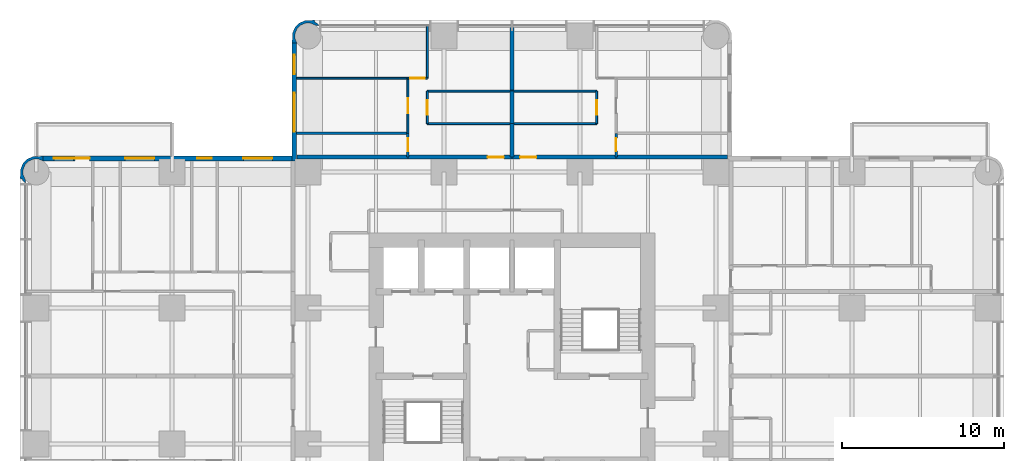
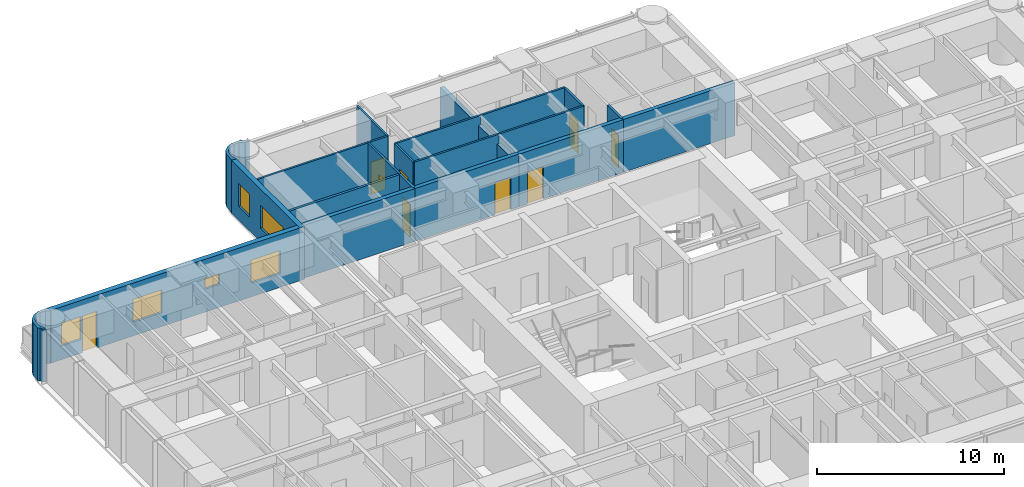
# One storey, part 11 of 14: 24 walls, 9 doors, 6 windows, 15 openings.
"""IFC4 building model written with IfcOpenShell, lengths in metres."""

from ifc_helpers import new_model, si_unit, direction, frame, frame_2d, origin, place, context, subcontext, project, spatial, polyline, rectangle, outline, extrude, material, layer, layer_set, type_object, element, fill, save


model = new_model("IFC4")

# Units and contexts
model_context = context("Model", 3, precision=1e-05, world=origin(), true_north=direction((0.0, 1.0)))
body_context = subcontext(model_context, "Body", "Model", "MODEL_VIEW")
ifc_project = project(units=[si_unit("LENGTHUNIT", "METRE"), si_unit("AREAUNIT", "SQUARE_METRE"), si_unit("VOLUMEUNIT", "CUBIC_METRE"), si_unit("PLANEANGLEUNIT", "RADIAN"), si_unit("MASSUNIT", "GRAM", prefix="KILO")], contexts=[model_context])

# Site, building, storey
site_placement = place(None, origin())
site = spatial("IfcSite", under=ifc_project, at=site_placement, CompositionType="ELEMENT")
building_placement = place(site_placement, origin())
building = spatial("IfcBuilding", under=site, at=building_placement, Name="Torre Alcanfor", CompositionType="ELEMENT")
storey_placement = place(building_placement, frame((0.0, 0.0, 155.699951171875)))
storey = spatial("IfcBuildingStorey", under=building, at=storey_placement, Name="L40", CompositionType="ELEMENT", Elevation=155.699951171875)

# Wall, opening, door
ifc_material_1 = material(Name="Concrete block masonry, hollow blocks NMX-C-404 9 MPa", Category="masonry")
ifc_layer_1 = layer(ifc_material_1, 0.25)
ifc_layer_set_1 = layer_set([ifc_layer_1], Name="Apartment entrance wall 250 EI 60")
wall_type_1 = type_object("IfcWallType", Name="Apartment entrance wall 250 EI 60", PredefinedType="PARTITIONING", material=ifc_layer_set_1)
wall_1_placement = place(storey_placement, frame((22.970947265625, 42.925048828125, 0.0), z_axis=(0.0, 0.0, 1.0), x_axis=(1.0, 0.0, 0.0)))
wall_1 = element("IfcWall", 1, at=wall_1_placement, inside=storey, type_object=wall_type_1, Name="Partition L40-CORR / L40-N1-LIVING", PredefinedType="PARTITIONING", context=body_context, shape_type="SweptSolid", body=[
    extrude(rectangle(XDim=6.428955078125, YDim=0.25, at=frame_2d((3.21435546875, 0.0))), origin(), (0.0, 0.0, 1.0), 3.449951171875),
])
opening_1_placement = place(wall_1_placement, frame((4.928955078125, 0.0, 0.0)))
opening_1 = element("IfcOpeningElement", 2, at=opening_1_placement, cuts=wall_1, Name="Opening D-A1", PredefinedType="OPENING", context=body_context, shape_type="SweptSolid", body=[
    extrude(rectangle(XDim=1.0, YDim=2.10009765625, at=frame_2d((0.5, 1.050048828125))), frame((0.0, 0.135009765625, 0.0), z_axis=(0.0, -1.0, 0.0), x_axis=(1.0, 0.0, 0.0)), (0.0, 0.0, 1.0), 0.27001953125),
])
ifc_material_2 = material(Name="Galvanised steel sheet ASTM A653", Category="steel")
door_type_1 = type_object("IfcDoorType", Name="Apartment entrance door FD60 1000x2100", OperationType="SINGLE_SWING_LEFT", PredefinedType="DOOR", material=ifc_material_2)
door_1_placement = place(opening_1_placement, origin())
door_1 = element("IfcDoor", 3, at=door_1_placement, inside=storey, type_object=door_type_1, Name="Apartment entrance L40-N1", OperationType="SINGLE_SWING_RIGHT", OverallHeight=2.10009765625, OverallWidth=1.0, PredefinedType="DOOR", context=body_context, shape_type="SweptSolid", body=[
    extrude(rectangle(XDim=1.0, YDim=2.10009765625, at=frame_2d((0.5, 1.050048828125))), frame((0.0, 0.02490234375, 0.0), z_axis=(0.0, -1.0, 0.0), x_axis=(1.0, 0.0, 0.0)), (0.0, 0.0, 1.0), 0.050048828125),
])
fill(opening_1, door_1)

# Wall
wall_2_placement = place(storey_placement, frame((16.10009765625, 42.925048828125, 0.0), z_axis=(0.0, 0.0, 1.0), x_axis=(1.0, 0.0, 0.0)))
element("IfcWall", 4, at=wall_2_placement, inside=storey, type_object=wall_type_1, Name="Partition L40-CORR / L40-N1-BATH", PredefinedType="PARTITIONING", context=body_context, shape_type="SweptSolid", body=[
    extrude(rectangle(XDim=6.870849609375, YDim=0.25, at=frame_2d((3.435546875, 0.0))), origin(), (0.0, 0.0, 1.0), 3.449951171875),
])

# Wall, opening, door
wall_3_placement = place(storey_placement, frame((29.39990234375, 42.925048828125, 0.0), z_axis=(0.0, 0.0, 1.0), x_axis=(1.0, 0.0, 0.0)))
wall_3 = element("IfcWall", 5, at=wall_3_placement, inside=storey, type_object=wall_type_1, Name="Partition L40-CORR / L40-N2-LIVING", PredefinedType="PARTITIONING", context=body_context, shape_type="SweptSolid", body=[
    extrude(rectangle(XDim=6.42919921875, YDim=0.25, at=frame_2d((3.214599609375, 0.0))), origin(), (0.0, 0.0, 1.0), 3.449951171875),
])
opening_2_placement = place(wall_3_placement, frame((0.5, 0.0, 0.0)))
opening_2 = element("IfcOpeningElement", 6, at=opening_2_placement, cuts=wall_3, Name="Opening D-A1", PredefinedType="OPENING", context=body_context, shape_type="SweptSolid", body=[
    extrude(rectangle(XDim=1.0, YDim=2.10009765625, at=frame_2d((0.5, 1.050048828125))), frame((0.0, 0.135009765625, 0.0), z_axis=(0.0, -1.0, 0.0), x_axis=(1.0, 0.0, 0.0)), (0.0, 0.0, 1.0), 0.27001953125),
])
door_2_placement = place(opening_2_placement, origin())
door_2 = element("IfcDoor", 7, at=door_2_placement, inside=storey, type_object=door_type_1, Name="Apartment entrance L40-N2", OperationType="SINGLE_SWING_LEFT", OverallHeight=2.10009765625, OverallWidth=1.0, PredefinedType="DOOR", context=body_context, shape_type="SweptSolid", body=[
    extrude(rectangle(XDim=1.0, YDim=2.10009765625, at=frame_2d((0.5, 1.050048828125))), frame((0.0, 0.02490234375, 0.0), z_axis=(0.0, -1.0, 0.0), x_axis=(1.0, 0.0, 0.0)), (0.0, 0.0, 1.0), 0.050048828125),
])
fill(opening_2, door_2)

# Walls
wall_4_placement = place(storey_placement, frame((35.8291015625, 42.925048828125, 0.0), z_axis=(0.0, 0.0, 1.0), x_axis=(1.0, 0.0, 0.0)))
element("IfcWall", 8, at=wall_4_placement, inside=storey, type_object=wall_type_1, Name="Partition L40-CORR / L40-N2-BATH", PredefinedType="PARTITIONING", context=body_context, shape_type="SweptSolid", body=[
    extrude(rectangle(XDim=6.870849609375, YDim=0.25, at=frame_2d((3.435546875, 0.0))), origin(), (0.0, 0.0, 1.0), 3.449951171875),
])
ifc_material_3 = material(Name="Gypsum board on steel studs", Category="steel")
ifc_layer_2 = layer(ifc_material_3, 0.1201171875)
ifc_layer_set_2 = layer_set([ifc_layer_2], Name="Apartment partition 120")
wall_type_2 = type_object("IfcWallType", Name="Apartment partition 120", PredefinedType="PARTITIONING", material=ifc_layer_set_2)
wall_5_placement = place(storey_placement, frame((29.39990234375, 47.0, 0.0), z_axis=(0.0, 0.0, 1.0), x_axis=(-1.0, 0.0, 0.0)))
element("IfcWall", 9, at=wall_5_placement, inside=storey, type_object=wall_type_2, Name="Partition L40-N1-KITCHEN / L40-N1-LIVING", PredefinedType="PARTITIONING", context=body_context, shape_type="SweptSolid", body=[
    extrude(rectangle(XDim=5.22900390625, YDim=0.1201171875, at=frame_2d((2.614501953125, 0.0))), origin(), (0.0, 0.0, 1.0), 3.449951171875),
])

# Wall, opening, door
wall_6_placement = place(storey_placement, frame((24.1708984375, 47.0, 0.0), z_axis=(0.0, 0.0, 1.0), x_axis=(0.0, -1.0, 0.0)))
wall_6 = element("IfcWall", 10, at=wall_6_placement, inside=storey, type_object=wall_type_2, Name="Partition L40-N1-KITCHEN / L40-N1-LIVING", PredefinedType="PARTITIONING", context=body_context, shape_type="SweptSolid", body=[
    extrude(rectangle(XDim=2.0, YDim=0.1201171875, at=frame_2d((1.0, 0.0))), origin(), (0.0, 0.0, 1.0), 3.449951171875),
])
opening_3_placement = place(wall_6_placement, frame((0.550048828125, 0.0, 0.0)))
opening_3 = element("IfcOpeningElement", 11, at=opening_3_placement, cuts=wall_6, Name="Opening D-R1", PredefinedType="OPENING", context=body_context, shape_type="SweptSolid", body=[
    extrude(rectangle(XDim=0.89990234375, YDim=2.10009765625, at=frame_2d((0.449951171875, 1.050048828125))), frame((0.0, 0.070068359375, 0.0), z_axis=(0.0, -1.0, 0.0), x_axis=(1.0, 0.0, 0.0)), (0.0, 0.0, 1.0), 0.14013671875),
])
ifc_material_4 = material(Name="Timber", Category="wood")
door_type_2 = type_object("IfcDoorType", Name="Internal door 900x2100", OperationType="SINGLE_SWING_LEFT", PredefinedType="DOOR", material=ifc_material_4)
door_3_placement = place(opening_3_placement, origin())
door_3 = element("IfcDoor", 12, at=door_3_placement, inside=storey, type_object=door_type_2, Name="Door L40-N1 kitchen", OperationType="SINGLE_SWING_LEFT", OverallHeight=2.10009765625, OverallWidth=0.89990234375, PredefinedType="DOOR", context=body_context, shape_type="SweptSolid", body=[
    extrude(rectangle(XDim=0.89990234375, YDim=2.10009765625, at=frame_2d((0.449951171875, 1.050048828125))), frame((0.0, 0.02490234375, 0.0), z_axis=(0.0, -1.0, 0.0), x_axis=(1.0, 0.0, 0.0)), (0.0, 0.0, 1.0), 0.050048828125),
])
fill(opening_3, door_3)

# Wall
wall_7_placement = place(storey_placement, frame((24.1708984375, 45.0, 0.0), z_axis=(0.0, 0.0, 1.0), x_axis=(1.0, 0.0, 0.0)))
element("IfcWall", 13, at=wall_7_placement, inside=storey, type_object=wall_type_2, Name="Partition L40-N1-KITCHEN / L40-N1-LIVING", PredefinedType="PARTITIONING", context=body_context, shape_type="SweptSolid", body=[
    extrude(rectangle(XDim=5.22900390625, YDim=0.1201171875, at=frame_2d((2.614501953125, 0.0))), origin(), (0.0, 0.0, 1.0), 3.449951171875),
])

# Wall, opening, door
wall_8_placement = place(storey_placement, frame((22.970947265625, 44.39990234375, 0.0), z_axis=(0.0, 0.0, 1.0), x_axis=(0.0, 1.0, 0.0)))
wall_8 = element("IfcWall", 14, at=wall_8_placement, inside=storey, type_object=wall_type_2, Name="Partition L40-N1-LIVING / L40-N1-STUDY", PredefinedType="PARTITIONING", context=body_context, shape_type="SweptSolid", body=[
    extrude(rectangle(XDim=3.400146484375, YDim=0.1201171875, at=frame_2d((1.7001953125, 0.0))), origin(), (0.0, 0.0, 1.0), 3.449951171875),
])
opening_4_placement = place(wall_8_placement, frame((1.25, 0.0, 0.0)))
opening_4 = element("IfcOpeningElement", 15, at=opening_4_placement, cuts=wall_8, Name="Opening D-R1", PredefinedType="OPENING", context=body_context, shape_type="SweptSolid", body=[
    extrude(rectangle(XDim=0.89990234375, YDim=2.10009765625, at=frame_2d((0.449951171875, 1.050048828125))), frame((0.0, 0.070068359375, 0.0), z_axis=(0.0, -1.0, 0.0), x_axis=(1.0, 0.0, 0.0)), (0.0, 0.0, 1.0), 0.14013671875),
])
door_4_placement = place(opening_4_placement, origin())
door_4 = element("IfcDoor", 16, at=door_4_placement, inside=storey, type_object=door_type_2, Name="Door L40-N1 study", OperationType="SINGLE_SWING_LEFT", OverallHeight=2.10009765625, OverallWidth=0.89990234375, PredefinedType="DOOR", context=body_context, shape_type="SweptSolid", body=[
    extrude(rectangle(XDim=0.89990234375, YDim=2.10009765625, at=frame_2d((0.449951171875, 1.050048828125))), frame((0.0, 0.02490234375, 0.0), z_axis=(0.0, -1.0, 0.0), x_axis=(1.0, 0.0, 0.0)), (0.0, 0.0, 1.0), 0.050048828125),
])
fill(opening_4, door_4)

wall_9_placement = place(storey_placement, frame((22.970947265625, 47.800048828125, 0.0), z_axis=(0.0, 0.0, 1.0), x_axis=(1.0, 0.0, 0.0)))
wall_9 = element("IfcWall", 17, at=wall_9_placement, inside=storey, type_object=wall_type_2, Name="Partition L40-N1-LIVING / L40-N1-MASTER", PredefinedType="PARTITIONING", context=body_context, shape_type="SweptSolid", body=[
    extrude(rectangle(XDim=1.199951171875, YDim=0.1201171875, at=frame_2d((0.60009765625, 0.0))), origin(), (0.0, 0.0, 1.0), 3.449951171875),
])
opening_5_placement = place(wall_9_placement, frame((0.14892578125, 0.0, 0.0)))
opening_5 = element("IfcOpeningElement", 18, at=opening_5_placement, cuts=wall_9, Name="Opening D-R1", PredefinedType="OPENING", context=body_context, shape_type="SweptSolid", body=[
    extrude(rectangle(XDim=0.89990234375, YDim=2.10009765625, at=frame_2d((0.449951171875, 1.050048828125))), frame((0.0, 0.070068359375, 0.0), z_axis=(0.0, -1.0, 0.0), x_axis=(1.0, 0.0, 0.0)), (0.0, 0.0, 1.0), 0.14013671875),
])
door_5_placement = place(opening_5_placement, origin())
door_5 = element("IfcDoor", 19, at=door_5_placement, inside=storey, type_object=door_type_2, Name="Door L40-N1 master", OperationType="SINGLE_SWING_RIGHT", OverallHeight=2.10009765625, OverallWidth=0.89990234375, PredefinedType="DOOR", context=body_context, shape_type="SweptSolid", body=[
    extrude(rectangle(XDim=0.89990234375, YDim=2.10009765625, at=frame_2d((0.449951171875, 1.050048828125))), frame((0.0, 0.02490234375, 0.0), z_axis=(0.0, -1.0, 0.0), x_axis=(1.0, 0.0, 0.0)), (0.0, 0.0, 1.0), 0.050048828125),
])
fill(opening_5, door_5)

# Walls
wall_10_placement = place(storey_placement, frame((24.1708984375, 47.800048828125, 0.0), z_axis=(0.0, 0.0, 1.0), x_axis=(0.0, 1.0, 0.0)))
element("IfcWall", 20, at=wall_10_placement, inside=storey, type_object=wall_type_2, Name="Partition L40-N1-LIVING / L40-N1-MASTER", PredefinedType="PARTITIONING", context=body_context, shape_type="SweptSolid", body=[
    extrude(rectangle(XDim=3.25, YDim=0.1201171875, at=frame_2d((1.625, 0.0))), origin(), (0.0, 0.0, 1.0), 3.449951171875),
])
wall_11_placement = place(storey_placement, frame((22.970947265625, 47.800048828125, 0.0), z_axis=(0.0, 0.0, 1.0), x_axis=(-1.0, 0.0, 0.0)))
element("IfcWall", 21, at=wall_11_placement, inside=storey, type_object=wall_type_2, Name="Partition L40-N1-STUDY / L40-N1-MASTER", PredefinedType="PARTITIONING", context=body_context, shape_type="SweptSolid", body=[
    extrude(rectangle(XDim=6.870849609375, YDim=0.1201171875, at=frame_2d((3.435546875, 0.0))), origin(), (0.0, 0.0, 1.0), 3.449951171875),
])
wall_12_placement = place(storey_placement, frame((29.39990234375, 47.0, 0.0), z_axis=(0.0, 0.0, 1.0), x_axis=(1.0, 0.0, 0.0)))
element("IfcWall", 22, at=wall_12_placement, inside=storey, type_object=wall_type_2, Name="Partition L40-N2-KITCHEN / L40-N2-LIVING", PredefinedType="PARTITIONING", context=body_context, shape_type="SweptSolid", body=[
    extrude(rectangle(XDim=5.22900390625, YDim=0.1201171875, at=frame_2d((2.614501953125, 0.0))), origin(), (0.0, 0.0, 1.0), 3.449951171875),
])

# Wall, opening, door
wall_13_placement = place(storey_placement, frame((34.62890625, 47.0, 0.0), z_axis=(0.0, 0.0, 1.0), x_axis=(0.0, -1.0, 0.0)))
wall_13 = element("IfcWall", 23, at=wall_13_placement, inside=storey, type_object=wall_type_2, Name="Partition L40-N2-KITCHEN / L40-N2-LIVING", PredefinedType="PARTITIONING", context=body_context, shape_type="SweptSolid", body=[
    extrude(rectangle(XDim=2.0, YDim=0.1201171875, at=frame_2d((1.0, 0.0))), origin(), (0.0, 0.0, 1.0), 3.449951171875),
])
opening_6_placement = place(wall_13_placement, frame((0.550048828125, 0.0, 0.0)))
opening_6 = element("IfcOpeningElement", 24, at=opening_6_placement, cuts=wall_13, Name="Opening D-R1", PredefinedType="OPENING", context=body_context, shape_type="SweptSolid", body=[
    extrude(rectangle(XDim=0.89990234375, YDim=2.10009765625, at=frame_2d((0.449951171875, 1.050048828125))), frame((0.0, 0.070068359375, 0.0), z_axis=(0.0, -1.0, 0.0), x_axis=(1.0, 0.0, 0.0)), (0.0, 0.0, 1.0), 0.14013671875),
])
door_6_placement = place(opening_6_placement, frame((0.89990234375, 0.0, 0.0), z_axis=(0.0, 0.0, 1.0), x_axis=(-1.0, 0.0, 0.0)))
door_6 = element("IfcDoor", 25, at=door_6_placement, inside=storey, type_object=door_type_2, Name="Door L40-N2 kitchen", OperationType="SINGLE_SWING_RIGHT", OverallHeight=2.10009765625, OverallWidth=0.89990234375, PredefinedType="DOOR", context=body_context, shape_type="SweptSolid", body=[
    extrude(rectangle(XDim=0.89990234375, YDim=2.10009765625, at=frame_2d((0.449951171875, 1.050048828125))), frame((0.0, 0.025146484375, 0.0), z_axis=(0.0, -1.0, 0.0), x_axis=(1.0, 0.0, 0.0)), (0.0, 0.0, 1.0), 0.050048828125),
])
fill(opening_6, door_6)

# Wall
wall_14_placement = place(storey_placement, frame((34.62890625, 45.0, 0.0), z_axis=(0.0, 0.0, 1.0), x_axis=(-1.0, 0.0, 0.0)))
element("IfcWall", 26, at=wall_14_placement, inside=storey, type_object=wall_type_2, Name="Partition L40-N2-KITCHEN / L40-N2-LIVING", PredefinedType="PARTITIONING", context=body_context, shape_type="SweptSolid", body=[
    extrude(rectangle(XDim=5.22900390625, YDim=0.1201171875, at=frame_2d((2.614501953125, 0.0))), origin(), (0.0, 0.0, 1.0), 3.449951171875),
])

# Wall, openings, door, windows
ifc_material_5 = material(Name="Limestone cladding", Category="masonry")
ifc_layer_3 = layer(ifc_material_5, 0.0400390625, Name="Facing")
ifc_material_6 = material(Name="Ventilated air cavity")
ifc_layer_4 = layer(ifc_material_6, 0.02001953125, ventilated=True, Name="Ventilated joint")
ifc_material_7 = material(Name="Mineral wool insulation", Category="insulation")
ifc_layer_5 = layer(ifc_material_7, 0.10009765625, Name="Insulation")
ifc_material_8 = material(Name="Concrete f'c 35 MPa", Category="concrete")
ifc_layer_6 = layer(ifc_material_8, 0.139892578125, Name="Backing")
ifc_layer_set_3 = layer_set([ifc_layer_3, ifc_layer_4, ifc_layer_5, ifc_layer_6], Name="External wall stone-clad 300")
wall_type_3 = type_object("IfcWallType", Name="External wall stone-clad 300", PredefinedType="SOLIDWALL", material=ifc_layer_set_3)
wall_15_placement = place(storey_placement, frame((15.800048828125, 42.85009765625, 0.0), z_axis=(0.0, 0.0, 1.0), x_axis=(-1.0, 0.0, 0.0)))
wall_15 = element("IfcWall", 27, at=wall_15_placement, inside=storey, type_object=wall_type_3, Name="External wall L40 1", PredefinedType="SOLIDWALL", context=body_context, shape_type="SweptSolid", body=[
    extrude(rectangle(XDim=15.400146484375, YDim=0.300048828125, at=frame_2d((7.7001953125, 0.0))), origin(), (0.0, 0.0, 1.0), 3.449951171875),
])
opening_7_placement = place(wall_15_placement, frame((1.199951171875, 0.0, 0.89990234375)))
opening_7 = element("IfcOpeningElement", 28, at=opening_7_placement, cuts=wall_15, Name="Opening W2", PredefinedType="OPENING", context=body_context, shape_type="SweptSolid", body=[
    extrude(rectangle(XDim=1.800048828125, YDim=1.5, at=frame_2d((0.89990234375, 0.75))), frame((0.0, 0.159912109375, 0.0), z_axis=(0.0, -1.0, 0.0), x_axis=(1.0, 0.0, 0.0)), (0.0, 0.0, 1.0), 0.320068359375),
])
opening_8_placement = place(wall_15_placement, frame((4.949951171875, 0.0, 1.5)))
opening_8 = element("IfcOpeningElement", 29, at=opening_8_placement, cuts=wall_15, Name="Opening W3", PredefinedType="OPENING", context=body_context, shape_type="SweptSolid", body=[
    extrude(rectangle(XDim=0.89990234375, YDim=0.699951171875, at=frame_2d((0.449951171875, 0.35009765625))), frame((0.0, 0.159912109375, 0.0), z_axis=(0.0, -1.0, 0.0), x_axis=(1.0, 0.0, 0.0)), (0.0, 0.0, 1.0), 0.320068359375),
])
opening_9_placement = place(wall_15_placement, frame((8.5, 0.0, 0.89990234375)))
opening_9 = element("IfcOpeningElement", 30, at=opening_9_placement, cuts=wall_15, Name="Opening W2", PredefinedType="OPENING", context=body_context, shape_type="SweptSolid", body=[
    extrude(rectangle(XDim=1.800048828125, YDim=1.5, at=frame_2d((0.89990234375, 0.75))), frame((0.0, 0.159912109375, 0.0), z_axis=(0.0, -1.0, 0.0), x_axis=(1.0, 0.0, 0.0)), (0.0, 0.0, 1.0), 0.320068359375),
])
opening_10_placement = place(wall_15_placement, frame((12.5, 0.0, 0.0)))
opening_10 = element("IfcOpeningElement", 31, at=opening_10_placement, cuts=wall_15, Name="Opening D-B1", PredefinedType="OPENING", context=body_context, shape_type="SweptSolid", body=[
    extrude(rectangle(XDim=0.89990234375, YDim=2.39990234375, at=frame_2d((0.449951171875, 1.199951171875))), frame((0.0, 0.159912109375, 0.0), z_axis=(0.0, -1.0, 0.0), x_axis=(1.0, 0.0, 0.0)), (0.0, 0.0, 1.0), 0.320068359375),
])
opening_11_placement = place(wall_15_placement, frame((13.5, 0.0, 0.89990234375)))
opening_11 = element("IfcOpeningElement", 32, at=opening_11_placement, cuts=wall_15, Name="Opening W4", PredefinedType="OPENING", context=body_context, shape_type="SweptSolid", body=[
    extrude(rectangle(XDim=1.199951171875, YDim=1.5, at=frame_2d((0.60009765625, 0.75))), frame((0.0, 0.159912109375, 0.0), z_axis=(0.0, -1.0, 0.0), x_axis=(1.0, 0.0, 0.0)), (0.0, 0.0, 1.0), 0.320068359375),
])
ifc_material_9 = material(Name="Aluminium and glass", Category="aluminium")
door_type_3 = type_object("IfcDoorType", Name="Balcony door glazed 900x2400", OperationType="SINGLE_SWING_LEFT", PredefinedType="DOOR", material=ifc_material_9)
door_7_placement = place(opening_10_placement, origin())
door_7 = element("IfcDoor", 33, at=door_7_placement, inside=storey, type_object=door_type_3, Name="Balcony door L40-W2", OperationType="SINGLE_SWING_LEFT", OverallHeight=2.39990234375, OverallWidth=0.89990234375, PredefinedType="DOOR", context=body_context, shape_type="SweptSolid", body=[
    extrude(rectangle(XDim=0.89990234375, YDim=2.39990234375, at=frame_2d((0.449951171875, 1.199951171875))), frame((0.0, 0.02490234375, 0.0), z_axis=(0.0, -1.0, 0.0), x_axis=(1.0, 0.0, 0.0)), (0.0, 0.0, 1.0), 0.050048828125),
])
fill(opening_10, door_7)
ifc_material_10 = material(Name="Aluminium frame with clear double glazing", Category="aluminium")
window_type_1 = type_object("IfcWindowType", Name="Window bathroom 900x700", PartitioningType="SINGLE_PANEL", PredefinedType="WINDOW", material=ifc_material_10)
window_1_placement = place(opening_8_placement, origin())
window_1 = element("IfcWindow", 34, at=window_1_placement, inside=storey, type_object=window_type_1, Name="Window W3 L40-W2", OverallHeight=0.699951171875, OverallWidth=0.89990234375, PartitioningType="SINGLE_PANEL", PredefinedType="WINDOW", context=body_context, shape_type="SweptSolid", body=[
    extrude(rectangle(XDim=0.89990234375, YDim=0.699951171875, at=frame_2d((0.449951171875, 0.35009765625))), frame((0.0, 0.030029296875, 0.0), z_axis=(0.0, -1.0, 0.0), x_axis=(1.0, 0.0, 0.0)), (0.0, 0.0, 1.0), 0.06005859375),
])
fill(opening_8, window_1)
ifc_material_11 = material(Name="Aluminium frame with clear double glazing", Category="aluminium")
window_type_2 = type_object("IfcWindowType", Name="Window bedroom 1200x1500", PartitioningType="SINGLE_PANEL", PredefinedType="WINDOW", material=ifc_material_11)
window_2_placement = place(opening_11_placement, origin())
window_2 = element("IfcWindow", 35, at=window_2_placement, inside=storey, type_object=window_type_2, Name="Window W4 L40-W2", OverallHeight=1.5, OverallWidth=1.199951171875, PartitioningType="SINGLE_PANEL", PredefinedType="WINDOW", context=body_context, shape_type="SweptSolid", body=[
    extrude(rectangle(XDim=1.199951171875, YDim=1.5, at=frame_2d((0.60009765625, 0.75))), frame((0.0, 0.030029296875, 0.0), z_axis=(0.0, -1.0, 0.0), x_axis=(1.0, 0.0, 0.0)), (0.0, 0.0, 1.0), 0.06005859375),
])
fill(opening_11, window_2)
ifc_material_12 = material(Name="Aluminium frame with clear double glazing", Category="aluminium")
window_type_3 = type_object("IfcWindowType", Name="Window bedroom 1800x1500", PartitioningType="SINGLE_PANEL", PredefinedType="WINDOW", material=ifc_material_12)
window_3_placement = place(opening_7_placement, origin())
window_3 = element("IfcWindow", 36, at=window_3_placement, inside=storey, type_object=window_type_3, Name="Window W2 L40-W2", OverallHeight=1.5, OverallWidth=1.800048828125, PartitioningType="SINGLE_PANEL", PredefinedType="WINDOW", context=body_context, shape_type="SweptSolid", body=[
    extrude(rectangle(XDim=1.800048828125, YDim=1.5, at=frame_2d((0.89990234375, 0.75))), frame((0.0, 0.030029296875, 0.0), z_axis=(0.0, -1.0, 0.0), x_axis=(1.0, 0.0, 0.0)), (0.0, 0.0, 1.0), 0.06005859375),
])
fill(opening_7, window_3)
window_4_placement = place(opening_9_placement, origin())
window_4 = element("IfcWindow", 37, at=window_4_placement, inside=storey, type_object=window_type_3, Name="Window W2 L40-W2", OverallHeight=1.5, OverallWidth=1.800048828125, PartitioningType="SINGLE_PANEL", PredefinedType="WINDOW", context=body_context, shape_type="SweptSolid", body=[
    extrude(rectangle(XDim=1.800048828125, YDim=1.5, at=frame_2d((0.89990234375, 0.75))), frame((0.0, 0.030029296875, 0.0), z_axis=(0.0, -1.0, 0.0), x_axis=(1.0, 0.0, 0.0)), (0.0, 0.0, 1.0), 0.06005859375),
])
fill(opening_9, window_4)

# Wall, openings, windows
wall_16_placement = place(storey_placement, frame((15.949951171875, 50.0, 0.0), z_axis=(0.0, 0.0, 1.0), x_axis=(0.0, -1.0, 0.0)))
wall_16 = element("IfcWall", 38, at=wall_16_placement, inside=storey, type_object=wall_type_3, Name="External wall L40 12", PredefinedType="SOLIDWALL", context=body_context, shape_type="SweptSolid", body=[
    extrude(rectangle(XDim=7.300048828125, YDim=0.300048828125, at=frame_2d((3.64990234375, 0.0))), origin(), (0.0, 0.0, 1.0), 3.449951171875),
])
opening_12_placement = place(wall_16_placement, frame((3.10009765625, 0.0, 0.89990234375)))
opening_12 = element("IfcOpeningElement", 39, at=opening_12_placement, cuts=wall_16, Name="Opening W1", PredefinedType="OPENING", context=body_context, shape_type="SweptSolid", body=[
    extrude(rectangle(XDim=2.39990234375, YDim=1.5, at=frame_2d((1.199951171875, 0.75))), frame((0.0, 0.159912109375, 0.0), z_axis=(0.0, -1.0, 0.0), x_axis=(1.0, 0.0, 0.0)), (0.0, 0.0, 1.0), 0.320068359375),
])
opening_13_placement = place(wall_16_placement, frame((0.75, 0.0, 0.89990234375)))
opening_13 = element("IfcOpeningElement", 40, at=opening_13_placement, cuts=wall_16, Name="Opening W4", PredefinedType="OPENING", context=body_context, shape_type="SweptSolid", body=[
    extrude(rectangle(XDim=1.199951171875, YDim=1.5, at=frame_2d((0.60009765625, 0.75))), frame((0.0, 0.159912109375, 0.0), z_axis=(0.0, -1.0, 0.0), x_axis=(1.0, 0.0, 0.0)), (0.0, 0.0, 1.0), 0.320068359375),
])
window_5_placement = place(opening_13_placement, origin())
window_5 = element("IfcWindow", 41, at=window_5_placement, inside=storey, type_object=window_type_2, Name="Window W4 L40-N1", OverallHeight=1.5, OverallWidth=1.199951171875, PartitioningType="SINGLE_PANEL", PredefinedType="WINDOW", context=body_context, shape_type="SweptSolid", body=[
    extrude(rectangle(XDim=1.199951171875, YDim=1.5, at=frame_2d((0.60009765625, 0.75))), frame((0.0, 0.030029296875, 0.0), z_axis=(0.0, -1.0, 0.0), x_axis=(1.0, 0.0, 0.0)), (0.0, 0.0, 1.0), 0.06005859375),
])
fill(opening_13, window_5)
ifc_material_13 = material(Name="Aluminium frame with clear double glazing", Category="aluminium")
window_type_4 = type_object("IfcWindowType", Name="Window bedroom 2400x1500", PartitioningType="SINGLE_PANEL", PredefinedType="WINDOW", material=ifc_material_13)
window_6_placement = place(opening_12_placement, origin())
window_6 = element("IfcWindow", 42, at=window_6_placement, inside=storey, type_object=window_type_4, Name="Window W1 L40-N1", OverallHeight=1.5, OverallWidth=2.39990234375, PartitioningType="SINGLE_PANEL", PredefinedType="WINDOW", context=body_context, shape_type="SweptSolid", body=[
    extrude(rectangle(XDim=2.39990234375, YDim=1.5, at=frame_2d((1.199951171875, 0.75))), frame((0.0, 0.030029296875, 0.0), z_axis=(0.0, -1.0, 0.0), x_axis=(1.0, 0.0, 0.0)), (0.0, 0.0, 1.0), 0.06005859375),
])
fill(opening_12, window_6)

# Walls
ifc_material_14 = material(Name="Concrete block masonry, hollow blocks NMX-C-404 9 MPa", Category="masonry")
ifc_layer_7 = layer(ifc_material_14, 0.25)
ifc_layer_set_4 = layer_set([ifc_layer_7], Name="Party wall 250 EI 60")
wall_type_4 = type_object("IfcWallType", Name="Party wall 250 EI 60", PredefinedType="PARTITIONING", material=ifc_layer_set_4)
wall_17_placement = place(storey_placement, frame((29.39990234375, 45.0, 0.0), z_axis=(0.0, 0.0, 1.0), x_axis=(0.0, 1.0, 0.0)))
element("IfcWall", 43, at=wall_17_placement, inside=storey, type_object=wall_type_4, Name="Partition L40-N1-KITCHEN / L40-N2-KITCHEN", PredefinedType="PARTITIONING", context=body_context, shape_type="SweptSolid", body=[
    extrude(rectangle(XDim=2.0, YDim=0.25, at=frame_2d((1.0, 0.0))), origin(), (0.0, 0.0, 1.0), 2.84814453125),
])
wall_18_placement = place(storey_placement, frame((29.39990234375, 45.0, 0.0), z_axis=(0.0, 0.0, 1.0), x_axis=(0.0, -1.0, 0.0)))
element("IfcWall", 44, at=wall_18_placement, inside=storey, type_object=wall_type_4, Name="Partition L40-N1-LIVING / L40-N2-LIVING", PredefinedType="PARTITIONING", context=body_context, shape_type="SweptSolid", body=[
    extrude(rectangle(XDim=2.074951171875, YDim=0.25, at=frame_2d((1.03759765625, 0.0))), origin(), (0.0, 0.0, 1.0), 2.84814453125),
])
wall_19_placement = place(storey_placement, frame((29.39990234375, 51.050048828125, 0.0), z_axis=(0.0, 0.0, 1.0), x_axis=(0.0, -1.0, 0.0)))
element("IfcWall", 45, at=wall_19_placement, inside=storey, type_object=wall_type_4, Name="Partition L40-N1-LIVING / L40-N2-LIVING", PredefinedType="PARTITIONING", context=body_context, shape_type="SweptSolid", body=[
    extrude(rectangle(XDim=4.050048828125, YDim=0.25, at=frame_2d((2.02490234375, 0.0))), origin(), (0.0, 0.0, 1.0), 2.84814453125),
])
ifc_layer_8 = layer(ifc_material_5, 0.0400390625, Name="Facing")
ifc_layer_9 = layer(ifc_material_6, 0.02001953125, ventilated=True, Name="Ventilated joint")
ifc_layer_10 = layer(ifc_material_7, 0.10009765625, Name="Insulation")
ifc_layer_11 = layer(ifc_material_8, 0.139892578125, Name="Backing")
ifc_layer_set_5 = layer_set([ifc_layer_8, ifc_layer_9, ifc_layer_10, ifc_layer_11], Name="Rounded corner pier stone-clad 300")
wall_type_5 = type_object("IfcWallType", Name="Rounded corner pier stone-clad 300", PredefinedType="SOLIDWALL", material=ifc_layer_set_5)
wall_20_placement = place(storey_placement, frame((0.326823795, 42.817059488, 0.0), z_axis=(0.0, 0.0, 1.0), x_axis=(-0.93923434088, 0.343276641956, 0.0)))
element("IfcWall", 46, at=wall_20_placement, inside=storey, type_object=wall_type_5, Name="Corner pier L40 13", PredefinedType="SOLIDWALL", context=body_context, shape_type="SweptSolid", body=[
    extrude(outline(polyline([(-0.005838677930572508, -0.19691017002240385), (0.2656725893480827, -0.05504723679548061), (0.5353355739365452, 0.04351070532859805), (0.8164808166219237, 0.3019667887790936), (0.9774010351300944, 0.6482698031873169), (0.9936526519661447, 1.0298167590229048), (0.8950947098420661, 1.2994797436113674), (0.8284439015683875, 1.5984799607341533), (0.6967504599124257, 1.5690632792769885), (0.6041212101125378, 1.6695954267902182), (0.39402236502400456, 1.7672242392847775), (0.4711255170258348, 1.5562634010012864), (0.5086990809760941, 1.538803702790635), (0.7241945805605172, 1.30408163961566), (0.8334799177457201, 1.0050675818747117), (0.8201287688443563, 0.6867053603325339), (0.6856890926223405, 0.3973889179155373), (0.4509670294473655, 0.1818934183311141), (0.15195297170641725, 0.07260808114591123), (-0.11630424425966698, 0.08399689688883538), (-0.12741215805145528, 0.07811756360614214), (-0.14598588403076265, 0.07132913391902448), (-0.005838677930572508, -0.19691017002240385)])), origin(), (0.0, 0.0, 1.0), 3.449951171875),
])
wall_21_placement = place(storey_placement, frame((17.448071802, 50.995317512, 0.0), z_axis=(0.0, 0.0, 1.0), x_axis=(-0.343276641956, 0.93923434088, 0.0)))
element("IfcWall", 47, at=wall_21_placement, inside=storey, type_object=wall_type_5, Name="Corner pier L40 20", PredefinedType="SOLIDWALL", context=body_context, shape_type="SweptSolid", body=[
    extrude(outline(polyline([(0.24108059829103723, 0.022959620234629247), (0.3334805428319213, 0.12357557552177408), (0.4651739844878831, 0.09415889406460926), (0.5320540980205655, 0.3930753034134802), (0.6306958479185591, 0.6629675932609465), (0.6144442310825087, 1.0445145490965344), (0.4535240125743382, 1.3908175635047577), (0.17229496211504458, 1.6490443416962495), (-0.0975973277324218, 1.7476860915942432), (-0.36910859501107685, 1.8895490248211664), (-0.5092558011112671, 1.6213097208797382), (-0.4906820751319597, 1.6145212911926206), (-0.47934485608116756, 1.6085581501360122), (-0.21131694537408713, 1.6200307736528514), (0.0879264176258649, 1.5106616286937335), (0.32264848080083985, 1.2951661291093102), (0.4569426595377669, 1.0061627997252323), (0.4702938084391308, 0.6878005781830546), (0.3609246634800129, 0.3885572151831026), (0.1454291638955897, 0.15383515200812764), (0.10816871297824923, 0.136520951282565), (0.030981753202503952, -0.0746691922599299), (0.24108059829103723, 0.022959620234629247)])), origin(), (0.0, 0.0, 1.0), 3.449951171875),
])

# Wall, opening, door
ifc_material_15 = material(Name="Cement board on steel studs", Category="steel")
ifc_layer_12 = layer(ifc_material_15, 0.14990234375)
ifc_layer_set_6 = layer_set([ifc_layer_12], Name="Wet area partition 150")
wall_type_6 = type_object("IfcWallType", Name="Wet area partition 150", PredefinedType="PARTITIONING", material=ifc_layer_set_6)
wall_22_placement = place(storey_placement, frame((22.970947265625, 42.925048828125, 0.0), z_axis=(0.0, 0.0, 1.0), x_axis=(0.0, 1.0, 0.0)))
wall_22 = element("IfcWall", 48, at=wall_22_placement, inside=storey, type_object=wall_type_6, Name="Partition L40-N1-LIVING / L40-N1-BATH", PredefinedType="PARTITIONING", context=body_context, shape_type="SweptSolid", body=[
    extrude(rectangle(XDim=1.474853515625, YDim=0.14990234375, at=frame_2d((0.7373046875, 0.0))), origin(), (0.0, 0.0, 1.0), 3.449951171875),
])
opening_14_placement = place(wall_22_placement, frame((0.375, 0.0, 0.0)))
opening_14 = element("IfcOpeningElement", 49, at=opening_14_placement, cuts=wall_22, Name="Opening D-R2", PredefinedType="OPENING", context=body_context, shape_type="SweptSolid", body=[
    extrude(rectangle(XDim=0.800048828125, YDim=2.10009765625, at=frame_2d((0.39990234375, 1.050048828125))), frame((0.0, 0.0849609375, 0.0), z_axis=(0.0, -1.0, 0.0), x_axis=(1.0, 0.0, 0.0)), (0.0, 0.0, 1.0), 0.169921875),
])
ifc_material_16 = material(Name="Timber", Category="wood")
door_type_4 = type_object("IfcDoorType", Name="Bathroom door 800x2100", OperationType="SINGLE_SWING_LEFT", PredefinedType="DOOR", material=ifc_material_16)
door_8_placement = place(opening_14_placement, origin())
door_8 = element("IfcDoor", 50, at=door_8_placement, inside=storey, type_object=door_type_4, Name="Door L40-N1 bath", OperationType="SINGLE_SWING_RIGHT", OverallHeight=2.10009765625, OverallWidth=0.800048828125, PredefinedType="DOOR", context=body_context, shape_type="SweptSolid", body=[
    extrude(rectangle(XDim=0.800048828125, YDim=2.10009765625, at=frame_2d((0.39990234375, 1.050048828125))), frame((0.0, 0.02490234375, 0.0), z_axis=(0.0, -1.0, 0.0), x_axis=(1.0, 0.0, 0.0)), (0.0, 0.0, 1.0), 0.050048828125),
])
fill(opening_14, door_8)

# Wall
wall_23_placement = place(storey_placement, frame((22.970947265625, 44.39990234375, 0.0), z_axis=(0.0, 0.0, 1.0), x_axis=(-1.0, 0.0, 0.0)))
element("IfcWall", 51, at=wall_23_placement, inside=storey, type_object=wall_type_6, Name="Partition L40-N1-BATH / L40-N1-STUDY", PredefinedType="PARTITIONING", context=body_context, shape_type="SweptSolid", body=[
    extrude(rectangle(XDim=6.870849609375, YDim=0.14990234375, at=frame_2d((3.435546875, 0.0))), origin(), (0.0, 0.0, 1.0), 3.449951171875),
])

# Wall, opening, door
wall_24_placement = place(storey_placement, frame((35.8291015625, 44.39990234375, 0.0), z_axis=(0.0, 0.0, 1.0), x_axis=(0.0, -1.0, 0.0)))
wall_24 = element("IfcWall", 52, at=wall_24_placement, inside=storey, type_object=wall_type_6, Name="Partition L40-N2-LIVING / L40-N2-BATH", PredefinedType="PARTITIONING", context=body_context, shape_type="SweptSolid", body=[
    extrude(rectangle(XDim=1.474853515625, YDim=0.14990234375, at=frame_2d((0.7373046875, 0.0))), origin(), (0.0, 0.0, 1.0), 3.449951171875),
])
opening_15_placement = place(wall_24_placement, frame((0.300048828125, 0.0, 0.0)))
opening_15 = element("IfcOpeningElement", 53, at=opening_15_placement, cuts=wall_24, Name="Opening D-R2", PredefinedType="OPENING", context=body_context, shape_type="SweptSolid", body=[
    extrude(rectangle(XDim=0.800048828125, YDim=2.10009765625, at=frame_2d((0.39990234375, 1.050048828125))), frame((0.0, 0.0849609375, 0.0), z_axis=(0.0, -1.0, 0.0), x_axis=(1.0, 0.0, 0.0)), (0.0, 0.0, 1.0), 0.169921875),
])
door_9_placement = place(opening_15_placement, origin())
door_9 = element("IfcDoor", 54, at=door_9_placement, inside=storey, type_object=door_type_4, Name="Door L40-N2 bath", OperationType="SINGLE_SWING_LEFT", OverallHeight=2.10009765625, OverallWidth=0.800048828125, PredefinedType="DOOR", context=body_context, shape_type="SweptSolid", body=[
    extrude(rectangle(XDim=0.800048828125, YDim=2.10009765625, at=frame_2d((0.39990234375, 1.050048828125))), frame((0.0, 0.02490234375, 0.0), z_axis=(0.0, -1.0, 0.0), x_axis=(1.0, 0.0, 0.0)), (0.0, 0.0, 1.0), 0.050048828125),
])
fill(opening_15, door_9)

save(model, "model.ifc")
